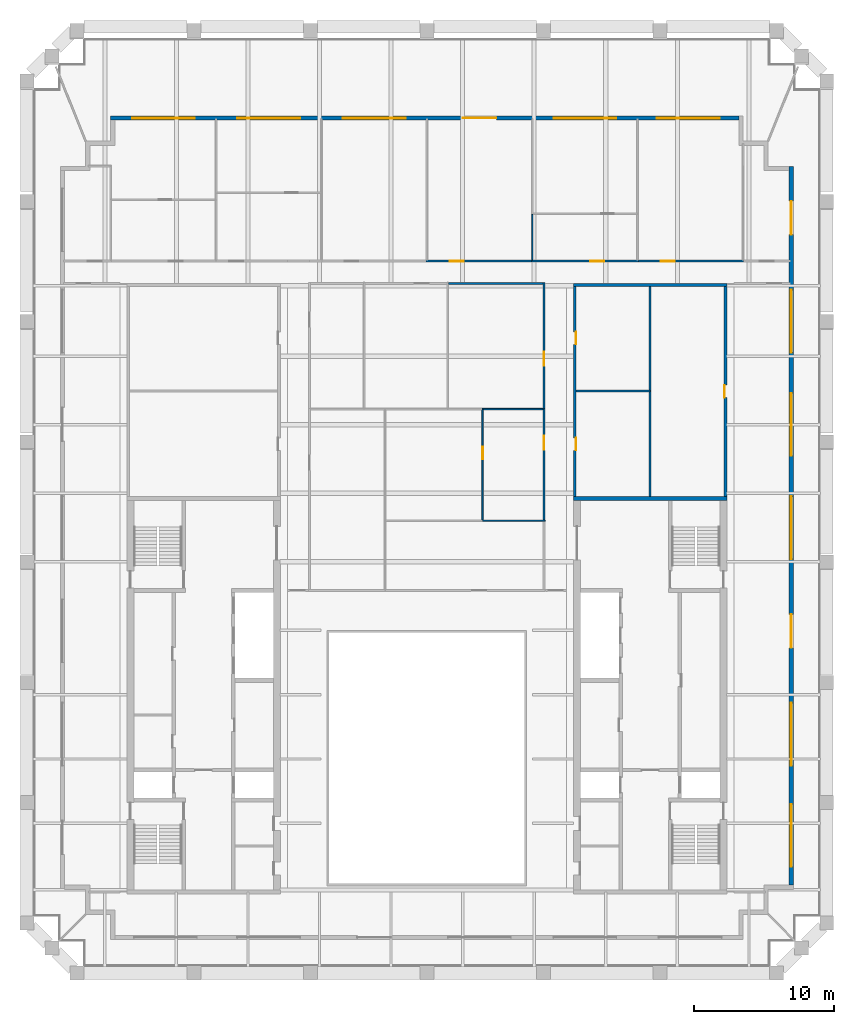
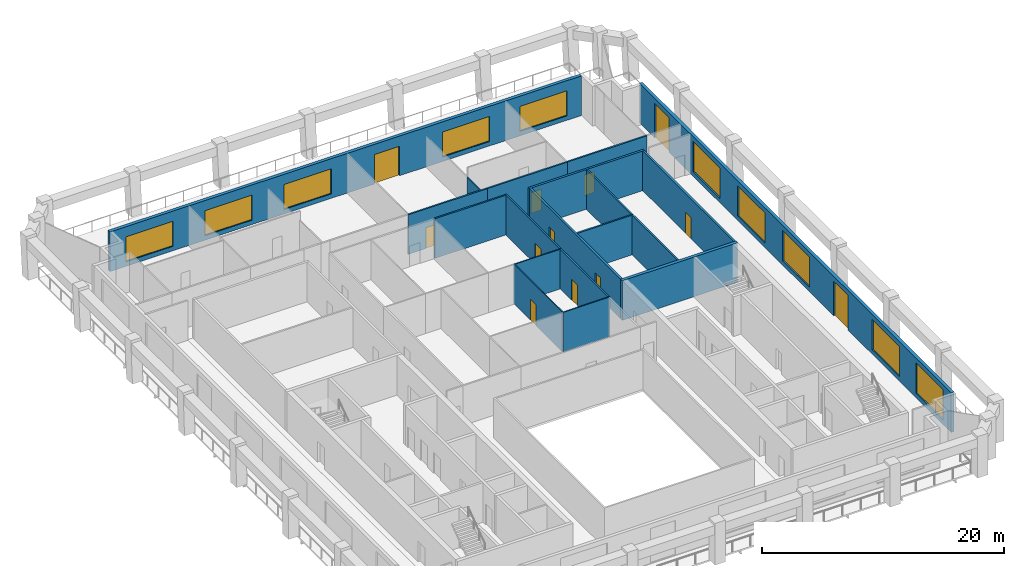
# One storey, part 6 of 8: 18 walls, 12 doors, 10 windows, 22 openings.
"""IFC4 building model written with IfcOpenShell, lengths in metres."""

import ifcopenshell
import ifcopenshell.guid

model = None  # the IFC model being written
_history = None  # IfcOwnerHistory: only IFC2X3 demands one
_inside = {}  # id of a spatial element -> (the spatial element, [elements in it])
_under = {}  # id of a project, library or spatial element -> (it, [spatial elements below it])
_declared = {}  # id of a project -> (the project, [libraries it declares])
_typed = {}  # id of a type object -> (the type object, [elements of that type])
_made_of = {}  # id of a material, layer set ... -> (it, [elements and type objects made of it])


def new_model(schema):
    """Start an empty IFC model of exactly this schema.

    Asked for "IFC4X3", IfcOpenShell would pick the latest addendum, in which some entities
    have other attributes; the version numbers below select the first issue.
    IFC2X3 requires an IfcOwnerHistory on every rooted entity: one is made here for all.
    """
    global model, _history
    if schema == "IFC4X3":
        model = ifcopenshell.file(schema_version=(4, 3, 0, 0))
    else:
        model = ifcopenshell.file(schema=schema)
    _inside.clear()
    _under.clear()
    _declared.clear()
    _typed.clear()
    _made_of.clear()
    _history = None
    if model.schema == "IFC2X3":
        org = make("IfcOrganization", Name="unknown")
        user = make(
            "IfcPersonAndOrganization",
            ThePerson=make("IfcPerson", FamilyName="unknown"),
            TheOrganization=org,
        )
        app = make(
            "IfcApplication",
            ApplicationDeveloper=org,
            Version="unknown",
            ApplicationFullName="unknown",
            ApplicationIdentifier="unknown",
        )
        _history = make(
            "IfcOwnerHistory",
            OwningUser=user,
            OwningApplication=app,
            ChangeAction="ADDED",
            CreationDate=0,
        )
    return model


def make(cls, **values):
    """One entity of the class cls with the attributes given. An attribute that is None is left unset."""
    return model.create_entity(
        cls, **{name: value for name, value in values.items() if value is not None}
    )


def rooted(cls, **values):
    """An entity with a GlobalId (a new one), such as an element, a storey or a relation."""
    return make(cls, GlobalId=ifcopenshell.guid.new(), OwnerHistory=_history, **values)


def si_unit(unit_type, name, prefix=None):
    """IfcSIUnit, for example si_unit("LENGTHUNIT", "METRE", prefix="MILLI")."""
    return make("IfcSIUnit", UnitType=unit_type, Prefix=prefix, Name=name)


def assignment(units):
    """IfcUnitAssignment: the units of a project."""
    return None if units is None else make("IfcUnitAssignment", Units=units)


def point(xyz):
    """IfcCartesianPoint."""
    return None if xyz is None else make("IfcCartesianPoint", Coordinates=xyz)


def direction(xyz):
    """IfcDirection."""
    return None if xyz is None else make("IfcDirection", DirectionRatios=xyz)


def frame(location, z_axis=None, x_axis=None):
    """IfcAxis2Placement3D, a coordinate frame: its origin and axes. An axis left out is left unset."""
    return make(
        "IfcAxis2Placement3D",
        Location=point(location),
        Axis=direction(z_axis),
        RefDirection=direction(x_axis),
    )


def frame_2d(location, x_axis=None):
    """IfcAxis2Placement2D, a coordinate frame in the plane: its origin and x axis."""
    return make(
        "IfcAxis2Placement2D", Location=point(location), RefDirection=direction(x_axis)
    )


def origin():
    """The frame at (0, 0, 0) with its axes left unset."""
    return frame((0.0, 0.0, 0.0))


def place(relative_to, where):
    """IfcLocalPlacement: puts the frame where relative to a parent placement (None: the world)."""
    return make(
        "IfcLocalPlacement", PlacementRelTo=relative_to, RelativePlacement=where
    )


def context(
    kind, dimensions, precision=None, world=None, true_north=None, identifier=None
):
    """IfcGeometricRepresentationContext, for example the 3D "Model" context."""
    return make(
        "IfcGeometricRepresentationContext",
        ContextIdentifier=identifier,
        ContextType=kind,
        CoordinateSpaceDimension=dimensions,
        Precision=precision,
        WorldCoordinateSystem=world,
        TrueNorth=true_north,
    )


def subcontext(parent, identifier, kind, view, scale=None):
    """IfcGeometricRepresentationSubContext, for example "Body" below "Model"."""
    return make(
        "IfcGeometricRepresentationSubContext",
        ContextIdentifier=identifier,
        ContextType=kind,
        ParentContext=parent,
        TargetScale=scale,
        TargetView=view,
    )


def project(units=None, contexts=None):
    """IfcProject with its units and contexts."""
    return rooted(
        "IfcProject",
        Name="project",
        RepresentationContexts=contexts,
        UnitsInContext=assignment(units),
    )


def spatial(cls, under=None, at=None, **own):
    """A site, building, storey or space (cls), placed at a placement, below another one or the project."""
    s = rooted(cls, ObjectPlacement=at, **own)
    if under is not None:
        _under.setdefault(under.id(), (under, []))[1].append(s)
    return s


def profile(cls, at=None, kind="AREA", **sizes):
    """A parametric profile (cls). Its sizes go by their IFC names, for example OverallWidth=200.0."""
    return make(cls, ProfileType=kind, Position=at, **sizes)


def rectangle(**sizes):
    """IfcRectangleProfileDef."""
    return profile("IfcRectangleProfileDef", **sizes)


def extrude(swept, where, along, depth):
    """IfcExtrudedAreaSolid: the profile swept, set in the frame where, extruded along a direction by depth."""
    return make(
        "IfcExtrudedAreaSolid",
        SweptArea=swept,
        Position=where,
        ExtrudedDirection=direction(along),
        Depth=depth,
    )


def shape(context_of_items, identifier, shape_type, items):
    """IfcShapeRepresentation: the items that make up one representation, for example the "Body"."""
    return make(
        "IfcShapeRepresentation",
        ContextOfItems=context_of_items,
        RepresentationIdentifier=identifier,
        RepresentationType=shape_type,
        Items=items,
    )


def material(Name=None, Category=None):
    """IfcMaterial."""
    return make("IfcMaterial", Name=Name, Category=Category)


def layer(
    of_material, thickness, ventilated=None, Name=None, Category=None, Priority=None
):
    """IfcMaterialLayer: one layer of a wall or slab, of a material (None: an air gap)."""
    return make(
        "IfcMaterialLayer",
        Material=of_material,
        LayerThickness=thickness,
        IsVentilated=ventilated,
        Name=Name,
        Category=Category,
        Priority=Priority,
    )


def layer_set(layers, Name=None):
    """IfcMaterialLayerSet."""
    return make("IfcMaterialLayerSet", MaterialLayers=layers, LayerSetName=Name)


def made_of(thing, what):
    """Note that an element or type object is made of a material, layer set ...; save() writes the relation."""
    if what is not None:
        _made_of.setdefault(what.id(), (what, []))[1].append(thing)
    return thing


def type_object(cls, material=None, **own):
    """A type object (cls), such as IfcWallType, which elements share."""
    return made_of(rooted(cls, **own), material)


def element(
    cls,
    number,
    at=None,
    inside=None,
    cuts=None,
    type_object=None,
    material=None,
    context=None,
    identifier="Body",
    shape_type=None,
    held_by="IfcProductDefinitionShape",
    body=None,
    shapes=None,
    **own,
):
    """One element of the class cls, such as IfcWall. Its Tag is "e" and its number.

    at: its placement. inside: the storey or other place that contains it. cuts: it is an
    opening in that element (IfcRelVoidsElement). A single representation is given by context,
    identifier, shape_type and body (its items); several are given by shapes. held_by: the class
    of the entity that holds the representations. save() writes the other relations.
    """
    e = rooted(cls, Tag="e%d" % number, ObjectPlacement=at, **own)
    if body is not None:
        shapes = [shape(context, identifier, shape_type, body)]
    if shapes is not None:
        e.Representation = make(held_by, Representations=shapes)
    if inside is not None:
        _inside.setdefault(inside.id(), (inside, []))[1].append(e)
    if cuts is not None:
        rooted(
            "IfcRelVoidsElement", RelatingBuildingElement=cuts, RelatedOpeningElement=e
        )
    if type_object is not None:
        _typed.setdefault(type_object.id(), (type_object, []))[1].append(e)
    return made_of(e, material)


def fill(opening, filler):
    """IfcRelFillsElement: the door or window that sits in an opening."""
    return rooted(
        "IfcRelFillsElement",
        RelatingOpeningElement=opening,
        RelatedBuildingElement=filler,
    )


def aggregate(whole, parts):
    """IfcRelAggregates: a whole, such as a stair, and the parts it consists of."""
    return rooted("IfcRelAggregates", RelatingObject=whole, RelatedObjects=parts)


def save(model, path):
    """Write the relations noted so far, then the file.

    IfcRelAggregates (storeys below a building ...), IfcRelContainedInSpatialStructure (elements
    in a storey), IfcRelDefinesByType, IfcRelAssociatesMaterial and IfcRelDeclares: one each for
    every whole, place, type object, material and project.
    """
    for whole, parts in _under.values():
        aggregate(whole, parts)
    for where, things in _inside.values():
        rooted(
            "IfcRelContainedInSpatialStructure",
            RelatedElements=things,
            RelatingStructure=where,
        )
    for kind, things in _typed.values():
        rooted("IfcRelDefinesByType", RelatedObjects=things, RelatingType=kind)
    for what, things in _made_of.values():
        rooted("IfcRelAssociatesMaterial", RelatedObjects=things, RelatingMaterial=what)
    for by, libraries in _declared.values():
        rooted("IfcRelDeclares", RelatingContext=by, RelatedDefinitions=libraries)
    model.write(path)


model = new_model("IFC4")

# Units and contexts
model_context = context("Model", 3, precision=1e-05, world=origin(), true_north=direction((0.0, 1.0)))
body_context = subcontext(model_context, "Body", "Model", "MODEL_VIEW")
ifc_project = project(units=[si_unit("LENGTHUNIT", "METRE"), si_unit("AREAUNIT", "SQUARE_METRE"), si_unit("VOLUMEUNIT", "CUBIC_METRE"), si_unit("PLANEANGLEUNIT", "RADIAN"), si_unit("MASSUNIT", "GRAM", prefix="KILO")], contexts=[model_context])

# Site, building, storey
site_placement = place(None, origin())
site = spatial("IfcSite", under=ifc_project, at=site_placement, CompositionType="ELEMENT")
building_placement = place(site_placement, origin())
building = spatial("IfcBuilding", under=site, at=building_placement, Name="Ogive Exchange Tower", CompositionType="ELEMENT")
storey_placement = place(building_placement, frame((0.0, 0.0, 342.60009765625)))
storey = spatial("IfcBuildingStorey", under=building, at=storey_placement, Name="L75", CompositionType="ELEMENT", Elevation=342.60009765625)

# Walls
ifc_material_1 = material(Name="Gypsum board partition")
ifc_layer_1 = layer(ifc_material_1, 0.14990234375)
ifc_layer_set_1 = layer_set([ifc_layer_1], Name="Core room partition 150 gypsum")
wall_type_1 = type_object("IfcWallType", Name="Core room partition 150 gypsum", PredefinedType="PARTITIONING", material=ifc_layer_set_1)
wall_1_placement = place(storey_placement, frame((16.0, 25.75, 0.0), z_axis=(0.0, 0.0, 1.0), x_axis=(0.0, 1.0, 0.0)))
element("IfcWall", 1, at=wall_1_placement, inside=storey, type_object=wall_type_1, Name="E annex N column wall", PredefinedType="PARTITIONING", context=body_context, shape_type="SweptSolid", body=[
    extrude(rectangle(XDim=15.050048828125, YDim=0.14990234375, at=frame_2d((7.52490234375, 0.0))), origin(), (0.0, 0.0, 1.0), 4.0),
])
wall_2_placement = place(storey_placement, frame((10.699951171875, 33.300048828125, 0.0), z_axis=(0.0, 0.0, 1.0), x_axis=(1.0, 0.0, 0.0)))
element("IfcWall", 2, at=wall_2_placement, inside=storey, type_object=wall_type_1, Name="E annex N cross wall", PredefinedType="PARTITIONING", context=body_context, shape_type="SweptSolid", body=[
    extrude(rectangle(XDim=5.300048828125, YDim=0.14990234375, at=frame_2d((2.64990234375, 0.0))), origin(), (0.0, 0.0, 1.0), 4.0),
])

# Wall, opening, door
ifc_material_2 = material(Name="Fire partition EI 60 150")
ifc_layer_2 = layer(ifc_material_2, 0.14990234375)
ifc_layer_set_2 = layer_set([ifc_layer_2], Name="Fire partition EI 60 150")
wall_type_2 = type_object("IfcWallType", Name="Fire partition EI 60 150", PredefinedType="PARTITIONING", material=ifc_layer_set_2)
wall_3_placement = place(storey_placement, frame((-0.050048828125, 42.60009765625, 0.0), z_axis=(0.0, 0.0, 1.0), x_axis=(1.0, 0.0, 0.0)))
wall_3 = element("IfcWall", 3, at=wall_3_placement, inside=storey, type_object=wall_type_2, Name="L75-PWL-030", PredefinedType="PARTITIONING", context=body_context, shape_type="SweptSolid", body=[
    extrude(rectangle(XDim=7.550048828125, YDim=0.14990234375, at=frame_2d((3.77490234375, 0.0))), origin(), (0.0, 0.0, 1.0), 4.0),
])
opening_1_placement = place(wall_3_placement, frame((1.699951171875, 0.0, 0.0)))
opening_1 = element("IfcOpeningElement", 4, at=opening_1_placement, cuts=wall_3, Name="Opening L75-I02", PredefinedType="OPENING", context=body_context, shape_type="SweptSolid", body=[
    extrude(rectangle(XDim=1.0, YDim=2.10009765625, at=frame_2d((0.5, 1.050048828125))), frame((0.0, 0.0849609375, 0.0), z_axis=(0.0, -1.0, 0.0), x_axis=(1.0, 0.0, 0.0)), (0.0, 0.0, 1.0), 0.169921875),
])
ifc_material_3 = material(Name="Fire door FD 30S 1000 x 2100")
door_type_1 = type_object("IfcDoorType", Name="Fire door FD 30S 1000 x 2100", OperationType="NOTDEFINED", PredefinedType="DOOR", material=ifc_material_3)
door_1_placement = place(opening_1_placement, origin())
door_1 = element("IfcDoor", 5, at=door_1_placement, inside=storey, type_object=door_type_1, Name="L75-IDR-002", ObjectType="DT3", OperationType="SINGLE_SWING_RIGHT", OverallHeight=2.10009765625, OverallWidth=1.0, PredefinedType="DOOR", context=body_context, shape_type="SweptSolid", body=[
    extrude(rectangle(XDim=1.0, YDim=2.10009765625, at=frame_2d((0.5, 1.050048828125))), frame((0.0, 0.02490234375, 0.0), z_axis=(0.0, -1.0, 0.0), x_axis=(1.0, 0.0, 0.0)), (0.0, 0.0, 1.0), 0.050048828125),
])
fill(opening_1, door_1)

wall_4_placement = place(storey_placement, frame((7.5, 42.60009765625, 0.0), z_axis=(0.0, 0.0, 1.0), x_axis=(1.0, 0.0, 0.0)))
wall_4 = element("IfcWall", 6, at=wall_4_placement, inside=storey, type_object=wall_type_2, Name="L75-PWL-038", PredefinedType="PARTITIONING", context=body_context, shape_type="SweptSolid", body=[
    extrude(rectangle(XDim=7.64990234375, YDim=0.14990234375, at=frame_2d((3.824951171875, 0.0))), origin(), (0.0, 0.0, 1.0), 4.0),
])
opening_2_placement = place(wall_4_placement, frame((4.199951171875, 0.0, 0.0)))
opening_2 = element("IfcOpeningElement", 7, at=opening_2_placement, cuts=wall_4, Name="Opening L75-I04", PredefinedType="OPENING", context=body_context, shape_type="SweptSolid", body=[
    extrude(rectangle(XDim=1.0, YDim=2.10009765625, at=frame_2d((0.5, 1.050048828125))), frame((0.0, 0.0849609375, 0.0), z_axis=(0.0, -1.0, 0.0), x_axis=(1.0, 0.0, 0.0)), (0.0, 0.0, 1.0), 0.169921875),
])
door_2_placement = place(opening_2_placement, origin())
door_2 = element("IfcDoor", 8, at=door_2_placement, inside=storey, type_object=door_type_1, Name="L75-IDR-004", ObjectType="DT3", OperationType="SINGLE_SWING_LEFT", OverallHeight=2.10009765625, OverallWidth=1.0, PredefinedType="DOOR", context=body_context, shape_type="SweptSolid", body=[
    extrude(rectangle(XDim=1.0, YDim=2.10009765625, at=frame_2d((0.5, 1.050048828125))), frame((0.0, 0.02490234375, 0.0), z_axis=(0.0, -1.0, 0.0), x_axis=(1.0, 0.0, 0.0)), (0.0, 0.0, 1.0), 0.050048828125),
])
fill(opening_2, door_2)

wall_5_placement = place(storey_placement, frame((8.39990234375, 24.050048828125, 0.0), z_axis=(0.0, 0.0, 1.0), x_axis=(0.0, 1.0, 0.0)))
wall_5 = element("IfcWall", 9, at=wall_5_placement, inside=storey, type_object=wall_type_2, Name="L75-PWL-042", PredefinedType="PARTITIONING", context=body_context, shape_type="SweptSolid", body=[
    extrude(rectangle(XDim=8.0, YDim=0.14990234375, at=frame_2d((4.0, 0.0))), origin(), (0.0, 0.0, 1.0), 4.0),
])
opening_3_placement = place(wall_5_placement, frame((5.050048828125, 0.0, 0.0)))
opening_3 = element("IfcOpeningElement", 10, at=opening_3_placement, cuts=wall_5, Name="Opening L75-I16", PredefinedType="OPENING", context=body_context, shape_type="SweptSolid", body=[
    extrude(rectangle(XDim=1.0, YDim=2.10009765625, at=frame_2d((0.5, 1.050048828125))), frame((0.0, 0.0849609375, 0.0), z_axis=(0.0, -1.0, 0.0), x_axis=(1.0, 0.0, 0.0)), (0.0, 0.0, 1.0), 0.169921875),
])
door_3_placement = place(opening_3_placement, origin())
door_3 = element("IfcDoor", 11, at=door_3_placement, inside=storey, type_object=door_type_1, Name="L75-IDR-016", ObjectType="DT3", OperationType="SINGLE_SWING_LEFT", OverallHeight=2.10009765625, OverallWidth=1.0, PredefinedType="DOOR", context=body_context, shape_type="SweptSolid", body=[
    extrude(rectangle(XDim=1.0, YDim=2.10009765625, at=frame_2d((0.5, 1.050048828125))), frame((0.0, 0.02490234375, 0.0), z_axis=(0.0, -1.0, 0.0), x_axis=(1.0, 0.0, 0.0)), (0.0, 0.0, 1.0), 0.050048828125),
])
fill(opening_3, door_3)

wall_6_placement = place(storey_placement, frame((8.39990234375, 32.0, 0.0), z_axis=(0.0, 0.0, 1.0), x_axis=(0.0, 1.0, 0.0)))
wall_6 = element("IfcWall", 12, at=wall_6_placement, inside=storey, type_object=wall_type_2, Name="L75-PWL-044", PredefinedType="PARTITIONING", context=body_context, shape_type="SweptSolid", body=[
    extrude(rectangle(XDim=9.074951171875, YDim=0.14990234375, at=frame_2d((4.53759765625, 0.0))), origin(), (0.0, 0.0, 1.0), 4.0),
])
opening_4_placement = place(wall_6_placement, frame((3.10009765625, 0.0, 0.0)))
opening_4 = element("IfcOpeningElement", 13, at=opening_4_placement, cuts=wall_6, Name="Opening L75-I12", PredefinedType="OPENING", context=body_context, shape_type="SweptSolid", body=[
    extrude(rectangle(XDim=1.0, YDim=2.10009765625, at=frame_2d((0.5, 1.050048828125))), frame((0.0, 0.0849609375, 0.0), z_axis=(0.0, -1.0, 0.0), x_axis=(1.0, 0.0, 0.0)), (0.0, 0.0, 1.0), 0.169921875),
])
door_4_placement = place(opening_4_placement, origin())
door_4 = element("IfcDoor", 14, at=door_4_placement, inside=storey, type_object=door_type_1, Name="L75-IDR-012", ObjectType="DT3", OperationType="SINGLE_SWING_RIGHT", OverallHeight=2.10009765625, OverallWidth=1.0, PredefinedType="DOOR", context=body_context, shape_type="SweptSolid", body=[
    extrude(rectangle(XDim=1.0, YDim=2.10009765625, at=frame_2d((0.5, 1.050048828125))), frame((0.0, 0.02490234375, 0.0), z_axis=(0.0, -1.0, 0.0), x_axis=(1.0, 0.0, 0.0)), (0.0, 0.0, 1.0), 0.050048828125),
])
fill(opening_4, door_4)

# Wall
wall_7_placement = place(storey_placement, frame((8.324951171875, 41.0, 0.0), z_axis=(0.0, 0.0, 1.0), x_axis=(-1.0, 0.0, 0.0)))
element("IfcWall", 15, at=wall_7_placement, inside=storey, type_object=wall_type_2, Name="L75-PWL-045", PredefinedType="PARTITIONING", context=body_context, shape_type="SweptSolid", body=[
    extrude(rectangle(XDim=6.77490234375, YDim=0.14990234375, at=frame_2d((3.387451171875, 0.0))), origin(), (0.0, 0.0, 1.0), 4.0),
])

# Wall, opening, door
wall_8_placement = place(storey_placement, frame((15.14990234375, 42.60009765625, 0.0), z_axis=(0.0, 0.0, 1.0), x_axis=(1.0, 0.0, 0.0)))
wall_8 = element("IfcWall", 16, at=wall_8_placement, inside=storey, type_object=wall_type_2, Name="L75-PWL-046", PredefinedType="PARTITIONING", context=body_context, shape_type="SweptSolid", body=[
    extrude(rectangle(XDim=7.550048828125, YDim=0.14990234375, at=frame_2d((3.77490234375, 0.0))), origin(), (0.0, 0.0, 1.0), 4.0),
])
opening_5_placement = place(wall_8_placement, frame((1.60009765625, 0.0, 0.0)))
opening_5 = element("IfcOpeningElement", 17, at=opening_5_placement, cuts=wall_8, Name="Opening L75-I06", PredefinedType="OPENING", context=body_context, shape_type="SweptSolid", body=[
    extrude(rectangle(XDim=1.0, YDim=2.10009765625, at=frame_2d((0.5, 1.050048828125))), frame((0.0, 0.0849609375, 0.0), z_axis=(0.0, -1.0, 0.0), x_axis=(1.0, 0.0, 0.0)), (0.0, 0.0, 1.0), 0.169921875),
])
door_5_placement = place(opening_5_placement, origin())
door_5 = element("IfcDoor", 18, at=door_5_placement, inside=storey, type_object=door_type_1, Name="L75-IDR-006", ObjectType="DT3", OperationType="SINGLE_SWING_RIGHT", OverallHeight=2.10009765625, OverallWidth=1.0, PredefinedType="DOOR", context=body_context, shape_type="SweptSolid", body=[
    extrude(rectangle(XDim=1.0, YDim=2.10009765625, at=frame_2d((0.5, 1.050048828125))), frame((0.0, 0.02490234375, 0.0), z_axis=(0.0, -1.0, 0.0), x_axis=(1.0, 0.0, 0.0)), (0.0, 0.0, 1.0), 0.050048828125),
])
fill(opening_5, door_5)

# Wall, openings, doors, windows
ifc_material_4 = material(Name="Precast concrete C40/50", Category="concrete")
ifc_layer_3 = layer(ifc_material_4, 0.300048828125)
ifc_layer_set_3 = layer_set([ifc_layer_3], Name="Limestone-faced wall 300")
wall_type_3 = type_object("IfcWallType", Name="Limestone-faced wall 300", PredefinedType="STANDARD", material=ifc_layer_set_3)
wall_9_placement = place(storey_placement, frame((26.10009765625, -2.10009765625, 0.0), z_axis=(0.0, 0.0, 1.0), x_axis=(0.0, 1.0, 0.0)))
wall_9 = element("IfcWall", 19, at=wall_9_placement, inside=storey, type_object=wall_type_3, Name="External wall E2", PredefinedType="STANDARD", context=body_context, shape_type="SweptSolid", body=[
    extrude(rectangle(XDim=51.5, YDim=0.300048828125, at=frame_2d((25.75, 0.0))), origin(), (0.0, 0.0, 1.0), 4.0),
])
opening_6_placement = place(wall_9_placement, frame((1.300048828125, 0.0, 0.449951171875)))
opening_6 = element("IfcOpeningElement", 20, at=opening_6_placement, cuts=wall_9, Name="Opening W1", PredefinedType="OPENING", context=body_context, shape_type="SweptSolid", body=[
    extrude(rectangle(XDim=4.5, YDim=3.050048828125, at=frame_2d((2.25, 1.52490234375))), frame((0.0, 0.159912109375, 0.0), z_axis=(0.0, -1.0, 0.0), x_axis=(1.0, 0.0, 0.0)), (0.0, 0.0, 1.0), 0.320068359375),
])
opening_7_placement = place(wall_9_placement, frame((8.550048828125, 0.0, 0.449951171875)))
opening_7 = element("IfcOpeningElement", 21, at=opening_7_placement, cuts=wall_9, Name="Opening W1", PredefinedType="OPENING", context=body_context, shape_type="SweptSolid", body=[
    extrude(rectangle(XDim=4.5, YDim=3.050048828125, at=frame_2d((2.25, 1.52490234375))), frame((0.0, 0.159912109375, 0.0), z_axis=(0.0, -1.0, 0.0), x_axis=(1.0, 0.0, 0.0)), (0.0, 0.0, 1.0), 0.320068359375),
])
opening_8_placement = place(wall_9_placement, frame((17.0, 0.0, 0.0)))
opening_8 = element("IfcOpeningElement", 22, at=opening_8_placement, cuts=wall_9, Name="Opening D1", PredefinedType="OPENING", context=body_context, shape_type="SweptSolid", body=[
    extrude(rectangle(XDim=2.39990234375, YDim=3.5, at=frame_2d((1.199951171875, 1.75))), frame((0.0, 0.159912109375, 0.0), z_axis=(0.0, -1.0, 0.0), x_axis=(1.0, 0.0, 0.0)), (0.0, 0.0, 1.0), 0.320068359375),
])
opening_9_placement = place(wall_9_placement, frame((23.35009765625, 0.0, 0.449951171875)))
opening_9 = element("IfcOpeningElement", 23, at=opening_9_placement, cuts=wall_9, Name="Opening W1", PredefinedType="OPENING", context=body_context, shape_type="SweptSolid", body=[
    extrude(rectangle(XDim=4.5, YDim=3.050048828125, at=frame_2d((2.25, 1.52490234375))), frame((0.0, 0.159912109375, 0.0), z_axis=(0.0, -1.0, 0.0), x_axis=(1.0, 0.0, 0.0)), (0.0, 0.0, 1.0), 0.320068359375),
])
opening_10_placement = place(wall_9_placement, frame((30.75, 0.0, 0.449951171875)))
opening_10 = element("IfcOpeningElement", 24, at=opening_10_placement, cuts=wall_9, Name="Opening W1", PredefinedType="OPENING", context=body_context, shape_type="SweptSolid", body=[
    extrude(rectangle(XDim=4.5, YDim=3.050048828125, at=frame_2d((2.25, 1.52490234375))), frame((0.0, 0.159912109375, 0.0), z_axis=(0.0, -1.0, 0.0), x_axis=(1.0, 0.0, 0.0)), (0.0, 0.0, 1.0), 0.320068359375),
])
opening_11_placement = place(wall_9_placement, frame((38.14990234375, 0.0, 0.449951171875)))
opening_11 = element("IfcOpeningElement", 25, at=opening_11_placement, cuts=wall_9, Name="Opening W1", PredefinedType="OPENING", context=body_context, shape_type="SweptSolid", body=[
    extrude(rectangle(XDim=4.5, YDim=3.050048828125, at=frame_2d((2.25, 1.52490234375))), frame((0.0, 0.159912109375, 0.0), z_axis=(0.0, -1.0, 0.0), x_axis=(1.0, 0.0, 0.0)), (0.0, 0.0, 1.0), 0.320068359375),
])
opening_12_placement = place(wall_9_placement, frame((46.60009765625, 0.0, 0.0)))
opening_12 = element("IfcOpeningElement", 26, at=opening_12_placement, cuts=wall_9, Name="Opening D1", PredefinedType="OPENING", context=body_context, shape_type="SweptSolid", body=[
    extrude(rectangle(XDim=2.39990234375, YDim=3.5, at=frame_2d((1.199951171875, 1.75))), frame((0.0, 0.159912109375, 0.0), z_axis=(0.0, -1.0, 0.0), x_axis=(1.0, 0.0, 0.0)), (0.0, 0.0, 1.0), 0.320068359375),
])
ifc_material_5 = material(Name="Clear glass in bronze frame", Category="glass")
door_type_2 = type_object("IfcDoorType", Name="Sliding loggia door 2400 x 3500", OperationType="DOUBLE_DOOR_SLIDING", PredefinedType="DOOR", material=ifc_material_5)
door_6_placement = place(opening_8_placement, origin())
door_6 = element("IfcDoor", 27, at=door_6_placement, inside=storey, type_object=door_type_2, Name="Loggia door E02", OperationType="DOUBLE_DOOR_SLIDING", OverallHeight=3.5, OverallWidth=2.39990234375, PredefinedType="DOOR", context=body_context, shape_type="SweptSolid", body=[
    extrude(rectangle(XDim=2.39990234375, YDim=3.5, at=frame_2d((1.199951171875, 1.75))), frame((0.0, 0.02490234375, 0.0), z_axis=(0.0, -1.0, 0.0), x_axis=(1.0, 0.0, 0.0)), (0.0, 0.0, 1.0), 0.050048828125),
])
fill(opening_8, door_6)
door_7_placement = place(opening_12_placement, origin())
door_7 = element("IfcDoor", 28, at=door_7_placement, inside=storey, type_object=door_type_2, Name="Loggia door E06", OperationType="DOUBLE_DOOR_SLIDING", OverallHeight=3.5, OverallWidth=2.39990234375, PredefinedType="DOOR", context=body_context, shape_type="SweptSolid", body=[
    extrude(rectangle(XDim=2.39990234375, YDim=3.5, at=frame_2d((1.199951171875, 1.75))), frame((0.0, 0.02490234375, 0.0), z_axis=(0.0, -1.0, 0.0), x_axis=(1.0, 0.0, 0.0)), (0.0, 0.0, 1.0), 0.050048828125),
])
fill(opening_12, door_7)
window_type_1 = type_object("IfcWindowType", Name="Twin lancet window 4500 x 3050", PartitioningType="DOUBLE_PANEL_VERTICAL", PredefinedType="WINDOW", material=ifc_material_5)
window_1_placement = place(opening_6_placement, origin())
window_1 = element("IfcWindow", 29, at=window_1_placement, inside=storey, type_object=window_type_1, Name="Window E00", OverallHeight=3.050048828125, OverallWidth=4.5, PartitioningType="DOUBLE_PANEL_VERTICAL", PredefinedType="WINDOW", context=body_context, shape_type="SweptSolid", body=[
    extrude(rectangle(XDim=4.5, YDim=3.050048828125, at=frame_2d((2.25, 1.52490234375))), frame((0.0, 0.030029296875, 0.0), z_axis=(0.0, -1.0, 0.0), x_axis=(1.0, 0.0, 0.0)), (0.0, 0.0, 1.0), 0.06005859375),
])
fill(opening_6, window_1)
window_2_placement = place(opening_7_placement, origin())
window_2 = element("IfcWindow", 30, at=window_2_placement, inside=storey, type_object=window_type_1, Name="Window E01", OverallHeight=3.050048828125, OverallWidth=4.5, PartitioningType="DOUBLE_PANEL_VERTICAL", PredefinedType="WINDOW", context=body_context, shape_type="SweptSolid", body=[
    extrude(rectangle(XDim=4.5, YDim=3.050048828125, at=frame_2d((2.25, 1.52490234375))), frame((0.0, 0.030029296875, 0.0), z_axis=(0.0, -1.0, 0.0), x_axis=(1.0, 0.0, 0.0)), (0.0, 0.0, 1.0), 0.06005859375),
])
fill(opening_7, window_2)
window_3_placement = place(opening_9_placement, origin())
window_3 = element("IfcWindow", 31, at=window_3_placement, inside=storey, type_object=window_type_1, Name="Window E03", OverallHeight=3.050048828125, OverallWidth=4.5, PartitioningType="DOUBLE_PANEL_VERTICAL", PredefinedType="WINDOW", context=body_context, shape_type="SweptSolid", body=[
    extrude(rectangle(XDim=4.5, YDim=3.050048828125, at=frame_2d((2.25, 1.52490234375))), frame((0.0, 0.030029296875, 0.0), z_axis=(0.0, -1.0, 0.0), x_axis=(1.0, 0.0, 0.0)), (0.0, 0.0, 1.0), 0.06005859375),
])
fill(opening_9, window_3)
window_4_placement = place(opening_10_placement, origin())
window_4 = element("IfcWindow", 32, at=window_4_placement, inside=storey, type_object=window_type_1, Name="Window E04", OverallHeight=3.050048828125, OverallWidth=4.5, PartitioningType="DOUBLE_PANEL_VERTICAL", PredefinedType="WINDOW", context=body_context, shape_type="SweptSolid", body=[
    extrude(rectangle(XDim=4.5, YDim=3.050048828125, at=frame_2d((2.25, 1.52490234375))), frame((0.0, 0.030029296875, 0.0), z_axis=(0.0, -1.0, 0.0), x_axis=(1.0, 0.0, 0.0)), (0.0, 0.0, 1.0), 0.06005859375),
])
fill(opening_10, window_4)
window_5_placement = place(opening_11_placement, origin())
window_5 = element("IfcWindow", 33, at=window_5_placement, inside=storey, type_object=window_type_1, Name="Window E05", OverallHeight=3.050048828125, OverallWidth=4.5, PartitioningType="DOUBLE_PANEL_VERTICAL", PredefinedType="WINDOW", context=body_context, shape_type="SweptSolid", body=[
    extrude(rectangle(XDim=4.5, YDim=3.050048828125, at=frame_2d((2.25, 1.52490234375))), frame((0.0, 0.030029296875, 0.0), z_axis=(0.0, -1.0, 0.0), x_axis=(1.0, 0.0, 0.0)), (0.0, 0.0, 1.0), 0.06005859375),
])
fill(opening_11, window_5)

# Wall, openings, door, windows
wall_10_placement = place(storey_placement, frame((22.35009765625, 52.85009765625, 0.0), z_axis=(0.0, 0.0, 1.0), x_axis=(-1.0, 0.0, 0.0)))
wall_10 = element("IfcWall", 34, at=wall_10_placement, inside=storey, type_object=wall_type_3, Name="External wall N3", PredefinedType="STANDARD", context=body_context, shape_type="SweptSolid", body=[
    extrude(rectangle(XDim=45.0, YDim=0.300048828125, at=frame_2d((22.5, 0.0))), origin(), (0.0, 0.0, 1.0), 4.0),
])
opening_13_placement = place(wall_10_placement, frame((1.375, 0.0, 0.449951171875)))
opening_13 = element("IfcOpeningElement", 35, at=opening_13_placement, cuts=wall_10, Name="Opening W1N", PredefinedType="OPENING", context=body_context, shape_type="SweptSolid", body=[
    extrude(rectangle(XDim=4.5, YDim=2.52490234375, at=frame_2d((2.25, 1.262451171875))), frame((0.0, 0.159912109375, 0.0), z_axis=(0.0, -1.0, 0.0), x_axis=(1.0, 0.0, 0.0)), (0.0, 0.0, 1.0), 0.320068359375),
])
opening_14_placement = place(wall_10_placement, frame((8.77490234375, 0.0, 0.449951171875)))
opening_14 = element("IfcOpeningElement", 36, at=opening_14_placement, cuts=wall_10, Name="Opening W1N", PredefinedType="OPENING", context=body_context, shape_type="SweptSolid", body=[
    extrude(rectangle(XDim=4.5, YDim=2.52490234375, at=frame_2d((2.25, 1.262451171875))), frame((0.0, 0.159912109375, 0.0), z_axis=(0.0, -1.0, 0.0), x_axis=(1.0, 0.0, 0.0)), (0.0, 0.0, 1.0), 0.320068359375),
])
opening_15_placement = place(wall_10_placement, frame((17.375, 0.0, 0.0)))
opening_15 = element("IfcOpeningElement", 37, at=opening_15_placement, cuts=wall_10, Name="Opening D1N", PredefinedType="OPENING", context=body_context, shape_type="SweptSolid", body=[
    extrude(rectangle(XDim=2.39990234375, YDim=2.97509765625, at=frame_2d((1.199951171875, 1.487548828125))), frame((0.0, 0.159912109375, 0.0), z_axis=(0.0, -1.0, 0.0), x_axis=(1.0, 0.0, 0.0)), (0.0, 0.0, 1.0), 0.320068359375),
])
opening_16_placement = place(wall_10_placement, frame((23.875, 0.0, 0.449951171875)))
opening_16 = element("IfcOpeningElement", 38, at=opening_16_placement, cuts=wall_10, Name="Opening W1N", PredefinedType="OPENING", context=body_context, shape_type="SweptSolid", body=[
    extrude(rectangle(XDim=4.5, YDim=2.52490234375, at=frame_2d((2.25, 1.262451171875))), frame((0.0, 0.159912109375, 0.0), z_axis=(0.0, -1.0, 0.0), x_axis=(1.0, 0.0, 0.0)), (0.0, 0.0, 1.0), 0.320068359375),
])
opening_17_placement = place(wall_10_placement, frame((31.425048828125, 0.0, 0.449951171875)))
opening_17 = element("IfcOpeningElement", 39, at=opening_17_placement, cuts=wall_10, Name="Opening W1N", PredefinedType="OPENING", context=body_context, shape_type="SweptSolid", body=[
    extrude(rectangle(XDim=4.5, YDim=2.52490234375, at=frame_2d((2.25, 1.262451171875))), frame((0.0, 0.159912109375, 0.0), z_axis=(0.0, -1.0, 0.0), x_axis=(1.0, 0.0, 0.0)), (0.0, 0.0, 1.0), 0.320068359375),
])
opening_18_placement = place(wall_10_placement, frame((38.97509765625, 0.0, 0.449951171875)))
opening_18 = element("IfcOpeningElement", 40, at=opening_18_placement, cuts=wall_10, Name="Opening W1N", PredefinedType="OPENING", context=body_context, shape_type="SweptSolid", body=[
    extrude(rectangle(XDim=4.5, YDim=2.52490234375, at=frame_2d((2.25, 1.262451171875))), frame((0.0, 0.159912109375, 0.0), z_axis=(0.0, -1.0, 0.0), x_axis=(1.0, 0.0, 0.0)), (0.0, 0.0, 1.0), 0.320068359375),
])
door_type_3 = type_object("IfcDoorType", Name="Sliding loggia door 2400 x 2975", OperationType="DOUBLE_DOOR_SLIDING", PredefinedType="DOOR", material=ifc_material_5)
door_8_placement = place(opening_15_placement, origin())
door_8 = element("IfcDoor", 41, at=door_8_placement, inside=storey, type_object=door_type_3, Name="Loggia door N02", OperationType="DOUBLE_DOOR_SLIDING", OverallHeight=2.97509765625, OverallWidth=2.39990234375, PredefinedType="DOOR", context=body_context, shape_type="SweptSolid", body=[
    extrude(rectangle(XDim=2.39990234375, YDim=2.97509765625, at=frame_2d((1.199951171875, 1.487548828125))), frame((0.0, 0.02490234375, 0.0), z_axis=(0.0, -1.0, 0.0), x_axis=(1.0, 0.0, 0.0)), (0.0, 0.0, 1.0), 0.050048828125),
])
fill(opening_15, door_8)
window_type_2 = type_object("IfcWindowType", Name="Twin lancet window 4500 x 2525", PartitioningType="DOUBLE_PANEL_VERTICAL", PredefinedType="WINDOW", material=ifc_material_5)
window_6_placement = place(opening_13_placement, origin())
window_6 = element("IfcWindow", 42, at=window_6_placement, inside=storey, type_object=window_type_2, Name="Window N00", OverallHeight=2.52490234375, OverallWidth=4.5, PartitioningType="DOUBLE_PANEL_VERTICAL", PredefinedType="WINDOW", context=body_context, shape_type="SweptSolid", body=[
    extrude(rectangle(XDim=4.5, YDim=2.52490234375, at=frame_2d((2.25, 1.262451171875))), frame((0.0, 0.030029296875, 0.0), z_axis=(0.0, -1.0, 0.0), x_axis=(1.0, 0.0, 0.0)), (0.0, 0.0, 1.0), 0.06005859375),
])
fill(opening_13, window_6)
window_7_placement = place(opening_14_placement, origin())
window_7 = element("IfcWindow", 43, at=window_7_placement, inside=storey, type_object=window_type_2, Name="Window N01", OverallHeight=2.52490234375, OverallWidth=4.5, PartitioningType="DOUBLE_PANEL_VERTICAL", PredefinedType="WINDOW", context=body_context, shape_type="SweptSolid", body=[
    extrude(rectangle(XDim=4.5, YDim=2.52490234375, at=frame_2d((2.25, 1.262451171875))), frame((0.0, 0.030029296875, 0.0), z_axis=(0.0, -1.0, 0.0), x_axis=(1.0, 0.0, 0.0)), (0.0, 0.0, 1.0), 0.06005859375),
])
fill(opening_14, window_7)
window_8_placement = place(opening_16_placement, origin())
window_8 = element("IfcWindow", 44, at=window_8_placement, inside=storey, type_object=window_type_2, Name="Window N03", OverallHeight=2.52490234375, OverallWidth=4.5, PartitioningType="DOUBLE_PANEL_VERTICAL", PredefinedType="WINDOW", context=body_context, shape_type="SweptSolid", body=[
    extrude(rectangle(XDim=4.5, YDim=2.52490234375, at=frame_2d((2.25, 1.262451171875))), frame((0.0, 0.030029296875, 0.0), z_axis=(0.0, -1.0, 0.0), x_axis=(1.0, 0.0, 0.0)), (0.0, 0.0, 1.0), 0.06005859375),
])
fill(opening_16, window_8)
window_9_placement = place(opening_17_placement, origin())
window_9 = element("IfcWindow", 45, at=window_9_placement, inside=storey, type_object=window_type_2, Name="Window N04", OverallHeight=2.52490234375, OverallWidth=4.5, PartitioningType="DOUBLE_PANEL_VERTICAL", PredefinedType="WINDOW", context=body_context, shape_type="SweptSolid", body=[
    extrude(rectangle(XDim=4.5, YDim=2.52490234375, at=frame_2d((2.25, 1.262451171875))), frame((0.0, 0.030029296875, 0.0), z_axis=(0.0, -1.0, 0.0), x_axis=(1.0, 0.0, 0.0)), (0.0, 0.0, 1.0), 0.06005859375),
])
fill(opening_17, window_9)
window_10_placement = place(opening_18_placement, origin())
window_10 = element("IfcWindow", 46, at=window_10_placement, inside=storey, type_object=window_type_2, Name="Window N05", OverallHeight=2.52490234375, OverallWidth=4.5, PartitioningType="DOUBLE_PANEL_VERTICAL", PredefinedType="WINDOW", context=body_context, shape_type="SweptSolid", body=[
    extrude(rectangle(XDim=4.5, YDim=2.52490234375, at=frame_2d((2.25, 1.262451171875))), frame((0.0, 0.030029296875, 0.0), z_axis=(0.0, -1.0, 0.0), x_axis=(1.0, 0.0, 0.0)), (0.0, 0.0, 1.0), 0.06005859375),
])
fill(opening_18, window_10)

# Wall, opening, door
ifc_material_6 = material(Name="Partition 100 gypsum")
ifc_layer_4 = layer(ifc_material_6, 0.10009765625)
ifc_layer_set_4 = layer_set([ifc_layer_4], Name="Partition 100 gypsum")
wall_type_4 = type_object("IfcWallType", Name="Partition 100 gypsum", PredefinedType="PARTITIONING", material=ifc_layer_set_4)
wall_11_placement = place(storey_placement, frame((4.0, 24.050048828125, 0.0), z_axis=(0.0, 0.0, 1.0), x_axis=(0.0, 1.0, 0.0)))
wall_11 = element("IfcWall", 47, at=wall_11_placement, inside=storey, type_object=wall_type_4, Name="L75-PWL-035", PredefinedType="PARTITIONING", context=body_context, shape_type="SweptSolid", body=[
    extrude(rectangle(XDim=8.0, YDim=0.10009765625, at=frame_2d((4.0, 0.0))), origin(), (0.0, 0.0, 1.0), 4.0),
])
opening_19_placement = place(wall_11_placement, frame((4.35009765625, 0.0, 0.0)))
opening_19 = element("IfcOpeningElement", 48, at=opening_19_placement, cuts=wall_11, Name="Opening L75-I17", PredefinedType="OPENING", context=body_context, shape_type="SweptSolid", body=[
    extrude(rectangle(XDim=0.89990234375, YDim=2.10009765625, at=frame_2d((0.449951171875, 1.050048828125))), frame((0.0, 0.06005859375, 0.0), z_axis=(0.0, -1.0, 0.0), x_axis=(1.0, 0.0, 0.0)), (0.0, 0.0, 1.0), 0.1201171875),
])
ifc_material_7 = material(Name="Door 900 x 2100")
door_type_4 = type_object("IfcDoorType", Name="Door 900 x 2100", OperationType="NOTDEFINED", PredefinedType="DOOR", material=ifc_material_7)
door_9_placement = place(opening_19_placement, frame((0.89990234375, 0.0, 0.0), z_axis=(0.0, 0.0, 1.0), x_axis=(-1.0, 0.0, 0.0)))
door_9 = element("IfcDoor", 49, at=door_9_placement, inside=storey, type_object=door_type_4, Name="L75-IDR-017", ObjectType="DT1", OperationType="SINGLE_SWING_RIGHT", OverallHeight=2.10009765625, OverallWidth=0.89990234375, PredefinedType="DOOR", context=body_context, shape_type="SweptSolid", body=[
    extrude(rectangle(XDim=0.89990234375, YDim=2.10009765625, at=frame_2d((0.449951171875, 1.050048828125))), frame((0.0, 0.02490234375, 0.0), z_axis=(0.0, -1.0, 0.0), x_axis=(1.0, 0.0, 0.0)), (0.0, 0.0, 1.0), 0.050048828125),
])
fill(opening_19, door_9)

# Walls
wall_12_placement = place(storey_placement, frame((4.0, 24.0, 0.0), z_axis=(0.0, 0.0, 1.0), x_axis=(1.0, 0.0, 0.0)))
element("IfcWall", 50, at=wall_12_placement, inside=storey, type_object=wall_type_4, Name="L75-PWL-036", PredefinedType="PARTITIONING", context=body_context, shape_type="SweptSolid", body=[
    extrude(rectangle(XDim=4.47509765625, YDim=0.10009765625, at=frame_2d((2.237548828125, 0.0))), origin(), (0.0, 0.0, 1.0), 4.0),
])
wall_13_placement = place(storey_placement, frame((7.550048828125, 45.949951171875, 0.0), z_axis=(0.0, 0.0, 1.0), x_axis=(0.0, -1.0, 0.0)))
element("IfcWall", 51, at=wall_13_placement, inside=storey, type_object=wall_type_4, Name="L75-PWL-039", PredefinedType="PARTITIONING", context=body_context, shape_type="SweptSolid", body=[
    extrude(rectangle(XDim=3.27490234375, YDim=0.10009765625, at=frame_2d((1.637451171875, 0.0))), origin(), (0.0, 0.0, 1.0), 3.095947265625),
])
wall_14_placement = place(storey_placement, frame((8.324951171875, 32.0, 0.0), z_axis=(0.0, 0.0, 1.0), x_axis=(-1.0, 0.0, 0.0)))
element("IfcWall", 52, at=wall_14_placement, inside=storey, type_object=wall_type_4, Name="L75-PWL-043", PredefinedType="PARTITIONING", context=body_context, shape_type="SweptSolid", body=[
    extrude(rectangle(XDim=4.27490234375, YDim=0.10009765625, at=frame_2d((2.137451171875, 0.0))), origin(), (0.0, 0.0, 1.0), 4.0),
])

# Wall, opening, door
ifc_material_8 = material(Name="Concrete C70/85", Category="concrete")
ifc_layer_5 = layer(ifc_material_8, 0.199951171875)
ifc_layer_set_5 = layer_set([ifc_layer_5], Name="RC core wall 200 C70/85")
wall_type_5 = type_object("IfcWallType", Name="RC core wall 200 C70/85", PredefinedType="SHEAR", material=ifc_layer_set_5)
wall_15_placement = place(storey_placement, frame((21.39990234375, 25.75, 0.0), z_axis=(0.0, 0.0, 1.0), x_axis=(0.0, 1.0, 0.0)))
wall_15 = element("IfcWall", 53, at=wall_15_placement, inside=storey, type_object=wall_type_5, Name="E annex N outer wall", PredefinedType="SHEAR", context=body_context, shape_type="SweptSolid", body=[
    extrude(rectangle(XDim=15.050048828125, YDim=0.199951171875, at=frame_2d((7.52490234375, 0.0))), origin(), (0.0, 0.0, 1.0), 4.0),
])
opening_20_placement = place(wall_15_placement, frame((7.074951171875, 0.0, 0.0)))
opening_20 = element("IfcOpeningElement", 54, at=opening_20_placement, cuts=wall_15, Name="Opening L75-C34", PredefinedType="OPENING", context=body_context, shape_type="SweptSolid", body=[
    extrude(rectangle(XDim=0.89990234375, YDim=2.10009765625, at=frame_2d((0.449951171875, 1.050048828125))), frame((0.0, 0.10986328125, 0.0), z_axis=(0.0, -1.0, 0.0), x_axis=(1.0, 0.0, 0.0)), (0.0, 0.0, 1.0), 0.219970703125),
])
ifc_material_9 = material(Name="Timber fire door", Category="wood")
door_type_5 = type_object("IfcDoorType", Name="Core room door FD30S 900 x 2100", OperationType="NOTDEFINED", PredefinedType="DOOR", material=ifc_material_9)
door_10_placement = place(opening_20_placement, frame((0.89990234375, 0.14990234375, 0.0), z_axis=(0.0, 0.0, 1.0), x_axis=(-1.0, 0.0, 0.0)))
door_10 = element("IfcDoor", 55, at=door_10_placement, inside=storey, type_object=door_type_5, Name="Core room door", ObjectType="CD6", OperationType="SINGLE_SWING_RIGHT", OverallHeight=2.10009765625, OverallWidth=0.89990234375, PredefinedType="DOOR", context=body_context, shape_type="SweptSolid", body=[
    extrude(rectangle(XDim=0.89990234375, YDim=2.10009765625, at=frame_2d((0.449951171875, 1.050048828125))), frame((0.0, 0.10009765625, 0.0), z_axis=(0.0, -1.0, 0.0), x_axis=(1.0, 0.0, 0.0)), (0.0, 0.0, 1.0), 0.050048828125),
])
fill(opening_20, door_10)

# Wall, openings, doors
wall_16_placement = place(storey_placement, frame((10.60009765625, 25.75, 0.0), z_axis=(0.0, 0.0, 1.0), x_axis=(0.0, 1.0, 0.0)))
wall_16 = element("IfcWall", 56, at=wall_16_placement, inside=storey, type_object=wall_type_5, Name="E annex N inner wall", PredefinedType="SHEAR", context=body_context, shape_type="SweptSolid", body=[
    extrude(rectangle(XDim=15.050048828125, YDim=0.199951171875, at=frame_2d((7.52490234375, 0.0))), origin(), (0.0, 0.0, 1.0), 4.0),
])
opening_21_placement = place(wall_16_placement, frame((3.28759765625, 0.0, 0.0)))
opening_21 = element("IfcOpeningElement", 57, at=opening_21_placement, cuts=wall_16, Name="Opening L75-C35", PredefinedType="OPENING", context=body_context, shape_type="SweptSolid", body=[
    extrude(rectangle(XDim=0.89990234375, YDim=2.10009765625, at=frame_2d((0.449951171875, 1.050048828125))), frame((0.0, 0.10986328125, 0.0), z_axis=(0.0, -1.0, 0.0), x_axis=(1.0, 0.0, 0.0)), (0.0, 0.0, 1.0), 0.219970703125),
])
opening_22_placement = place(wall_16_placement, frame((10.887451171875, 0.0, 0.0)))
opening_22 = element("IfcOpeningElement", 58, at=opening_22_placement, cuts=wall_16, Name="Opening L75-C36", PredefinedType="OPENING", context=body_context, shape_type="SweptSolid", body=[
    extrude(rectangle(XDim=0.89990234375, YDim=2.10009765625, at=frame_2d((0.449951171875, 1.050048828125))), frame((0.0, 0.10986328125, 0.0), z_axis=(0.0, -1.0, 0.0), x_axis=(1.0, 0.0, 0.0)), (0.0, 0.0, 1.0), 0.219970703125),
])
door_11_placement = place(opening_22_placement, origin())
door_11 = element("IfcDoor", 59, at=door_11_placement, inside=storey, type_object=door_type_5, Name="Core room door", ObjectType="CD6", OperationType="SINGLE_SWING_LEFT", OverallHeight=2.10009765625, OverallWidth=0.89990234375, PredefinedType="DOOR", context=body_context, shape_type="SweptSolid", body=[
    extrude(rectangle(XDim=0.89990234375, YDim=2.10009765625, at=frame_2d((0.449951171875, 1.050048828125))), frame((0.0, -0.0498046875, 0.0), z_axis=(0.0, -1.0, 0.0), x_axis=(1.0, 0.0, 0.0)), (0.0, 0.0, 1.0), 0.050048828125),
])
fill(opening_22, door_11)
ifc_material_10 = material(Name="Steel fire door", Category="steel")
door_type_6 = type_object("IfcDoorType", Name="Riser door FD60 900 x 2100", OperationType="NOTDEFINED", PredefinedType="DOOR", material=ifc_material_10)
door_12_placement = place(opening_21_placement, origin())
door_12 = element("IfcDoor", 60, at=door_12_placement, inside=storey, type_object=door_type_6, Name="Riser door", ObjectType="CD2", OperationType="SINGLE_SWING_LEFT", OverallHeight=2.10009765625, OverallWidth=0.89990234375, PredefinedType="DOOR", context=body_context, shape_type="SweptSolid", body=[
    extrude(rectangle(XDim=0.89990234375, YDim=2.10009765625, at=frame_2d((0.449951171875, 1.050048828125))), frame((0.0, -0.0498046875, 0.0), z_axis=(0.0, -1.0, 0.0), x_axis=(1.0, 0.0, 0.0)), (0.0, 0.0, 1.0), 0.050048828125),
])
fill(opening_21, door_12)

# Walls
wall_17_placement = place(storey_placement, frame((10.5, 40.89990234375, 0.0), z_axis=(0.0, 0.0, 1.0), x_axis=(1.0, 0.0, 0.0)))
element("IfcWall", 61, at=wall_17_placement, inside=storey, type_object=wall_type_5, Name="E annex N end wall", PredefinedType="SHEAR", context=body_context, shape_type="SweptSolid", body=[
    extrude(rectangle(XDim=11.0, YDim=0.199951171875, at=frame_2d((5.5, 0.0))), origin(), (0.0, 0.0, 1.0), 4.0),
])
ifc_layer_6 = layer(ifc_material_8, 0.300048828125)
ifc_layer_set_6 = layer_set([ifc_layer_6], Name="RC core wall 300 C70/85")
wall_type_6 = type_object("IfcWallType", Name="RC core wall 300 C70/85", PredefinedType="SHEAR", material=ifc_layer_set_6)
wall_18_placement = place(storey_placement, frame((10.5, 25.60009765625, 0.0), z_axis=(0.0, 0.0, 1.0), x_axis=(1.0, 0.0, 0.0)))
element("IfcWall", 62, at=wall_18_placement, inside=storey, type_object=wall_type_6, Name="E north end wall", PredefinedType="SHEAR", context=body_context, shape_type="SweptSolid", body=[
    extrude(rectangle(XDim=11.0, YDim=0.300048828125, at=frame_2d((5.5, 0.0))), origin(), (0.0, 0.0, 1.0), 4.0),
])

save(model, "model.ifc")
